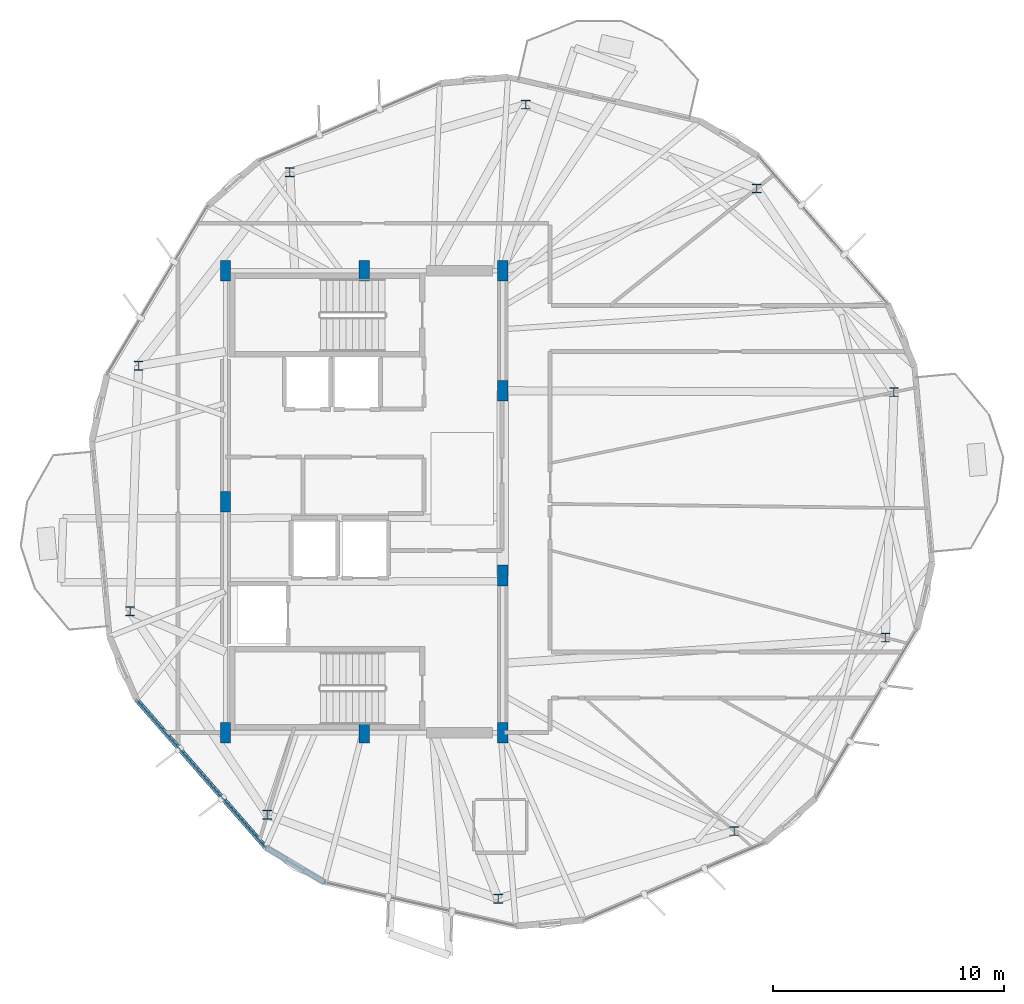
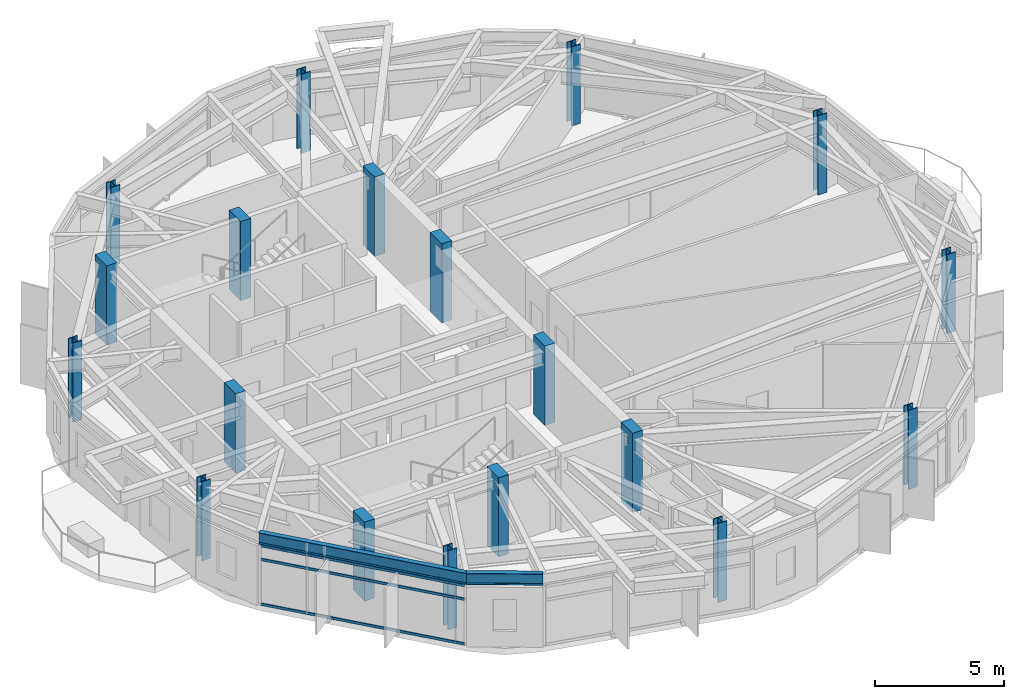
# One storey, part 1 of 23: 19 columns, 3 members, 2 beams, 1 element without a shape of its own.
"""IFC4 building model written with IfcOpenShell, lengths in metres."""

from ifc_helpers import new_model, si_unit, direction, frame, origin, origin_2d, place, context, subcontext, project, spatial, rectangle, hollow_rectangle, i_section, extrude, material, layer, layer_set, material_profile, profile_set, type_object, element, aggregate, save


model = new_model("IFC4")

# Units and contexts
model_context = context("Model", 3, precision=1e-05, world=origin(), true_north=direction((0.0, 1.0)))
body_context = subcontext(model_context, "Body", "Model", "MODEL_VIEW")
ifc_project = project(units=[si_unit("LENGTHUNIT", "METRE"), si_unit("AREAUNIT", "SQUARE_METRE"), si_unit("VOLUMEUNIT", "CUBIC_METRE"), si_unit("PLANEANGLEUNIT", "RADIAN"), si_unit("MASSUNIT", "GRAM", prefix="KILO")], contexts=[model_context])

# Site, building, storey
site_placement = place(None, origin())
site = spatial("IfcSite", under=ifc_project, at=site_placement, CompositionType="ELEMENT")
building_placement = place(site_placement, origin())
building = spatial("IfcBuilding", under=site, at=building_placement, Name="Soratama Intermodal Tower", CompositionType="ELEMENT")
storey_placement = place(building_placement, frame((0.0, 0.0, 250.0)))
storey = spatial("IfcBuildingStorey", under=building, at=storey_placement, Name="L63", CompositionType="ELEMENT", Elevation=250.0)

# Columns
ifc_material_1 = material(Name="Structural steel ASTM A992 Grade 50", Category="steel")
ifc_material_profile_1 = material_profile(ifc_material_1, i_section(OverallWidth=0.40087890625, OverallDepth=0.39892578125, WebThickness=0.02490234375, FlangeThickness=0.03955078125, FilletRadius=0.0380859375, at=origin_2d()), Name="W14X211")
ifc_profile_set_1 = profile_set([ifc_material_profile_1], Name="Structural steel ASTM A992 Grade 50")
column_type_1 = type_object("IfcColumnType", Name="COL-ZE-W14X211", PredefinedType="COLUMN", material=ifc_profile_set_1)
for number, where, z_axis, x_axis, name in (
    (1, (61.53369140625, 29.740966796875, 0.0), (0.0, 0.0, 1.0), (1.0, 0.0, 0.0), "L63 Tower Ring Column R01"),
    (2, (55.58935546875, 38.5537109375, 0.0), (0.0, 0.0, 1.0), (1.0, 0.0, 0.0), "L63 Tower Ring Column R02"),
    (3, (45.600341796875, 42.189453125, 0.0), (0.0, 0.0, 1.0), (1.0, 0.0, 0.0), "L63 Tower Ring Column R03"),
    (4, (35.3818359375, 39.259521484375, 0.0), (0.0, 0.0, 1.0), (1.0, 0.0, 0.0), "L63 Tower Ring Column R04"),
    (5, (28.83740234375, 30.8828125, 0.0), (0.0, 0.0, 1.0), (1.0, 0.0, 0.0), "L63 Tower Ring Column R05"),
    (6, (28.46630859375, 20.259033203125, 0.0), (0.0, 0.0, 1.0), (1.0, 0.0, 0.0), "L63 Tower Ring Column R06"),
    (7, (34.41064453125, 11.4462890625, 0.0), (0.0, 0.0, 1.0), (1.0, 0.0, 0.0), "L63 Tower Ring Column R07"),
    (8, (44.399658203125, 7.810546875, 0.0), (0.0, 0.0, 1.0), (1.0, 0.0, 0.0), "L63 Tower Ring Column R08"),
    (9, (54.6181640625, 10.740478515625, 0.0), (0.0, 0.0, 1.0), (1.0, 0.0, 0.0), "L63 Tower Ring Column R09"),
    (10, (61.16259765625, 19.1171875, 0.0), (0.0, 0.0, 1.0), (1.0, 0.0, 0.0), "L63 Tower Ring Column R10"),
):
    element("IfcColumn", number, at=place(storey_placement, frame(where, z_axis=z_axis, x_axis=x_axis)), inside=storey, type_object=column_type_1, Name=name, PredefinedType="COLUMN", context=body_context, shape_type="SweptSolid", body=[
        extrude(i_section(OverallWidth=0.40087890625, OverallDepth=0.39892578125, WebThickness=0.02490234375, FlangeThickness=0.03955078125, FilletRadius=0.0380859375, at=origin_2d()), origin(), (0.0, 0.0, 1.0), 3.75),
    ])
ifc_material_2 = material(Name="Concrete f'c 56 MPa", Category="concrete")
ifc_material_profile_2 = material_profile(ifc_material_2, rectangle(XDim=0.449951171875, YDim=0.89990234375, at=origin_2d()), Name="RC450X900")
ifc_profile_set_2 = profile_set([ifc_material_profile_2], Name="Concrete f'c 56 MPa")
column_type_2 = type_object("IfcColumnType", Name="PIL-CORE-450X900", PredefinedType="PILASTER", material=ifc_profile_set_2)
for number, where, z_axis, x_axis, name in (
    (11, (32.60009765625, 15.0, 0.0), (0.0, 0.0, 1.0), (1.0, 0.0, 0.0), "L63 Core Pilaster 1"),
    (12, (32.60009765625, 25.0, 0.0), (0.0, 0.0, 1.0), (1.0, 0.0, 0.0), "L63 Core Pilaster 2"),
    (13, (32.60009765625, 35.0, 0.0), (0.0, 0.0, 1.0), (1.0, 0.0, 0.0), "L63 Core Pilaster 3"),
    (14, (38.60009765625, 15.0, 0.0), (0.0, 0.0, 1.0), (1.0, 0.0, 0.0), "L63 Core Pilaster 4"),
    (15, (38.60009765625, 35.0, 0.0), (0.0, 0.0, 1.0), (1.0, 0.0, 0.0), "L63 Core Pilaster 5"),
    (16, (44.60009765625, 15.0, 0.0), (0.0, 0.0, 1.0), (1.0, 0.0, 0.0), "L63 Core Pilaster 6"),
    (17, (44.60009765625, 21.800048828125, 0.0), (0.0, 0.0, 1.0), (1.0, 0.0, 0.0), "L63 Core Pilaster 7"),
    (18, (44.60009765625, 29.800048828125, 0.0), (0.0, 0.0, 1.0), (1.0, 0.0, 0.0), "L63 Core Pilaster 8"),
    (19, (44.60009765625, 35.0, 0.0), (0.0, 0.0, 1.0), (1.0, 0.0, 0.0), "L63 Core Pilaster 9"),
):
    element("IfcColumn", number, at=place(storey_placement, frame(where, z_axis=z_axis, x_axis=x_axis)), inside=storey, type_object=column_type_2, Name=name, PredefinedType="PILASTER", context=body_context, shape_type="SweptSolid", body=[
        extrude(rectangle(XDim=0.449951171875, YDim=0.89990234375, at=origin_2d()), origin(), (0.0, 0.0, 1.0), 3.75),
    ])

# Beams
ifc_material_3 = material(Name="Structural steel ASTM A992 Grade 50", Category="steel")
ifc_material_profile_3 = material_profile(ifc_material_3, i_section(OverallWidth=0.2099609375, OverallDepth=0.537109375, WebThickness=0.010986328125, FlangeThickness=0.017333984375, FilletRadius=0.012939453125, at=origin_2d()), Name="W21X68")
ifc_profile_set_3 = profile_set([ifc_material_profile_3], Name="Structural steel ASTM A992 Grade 50")
beam_type = type_object("IfcBeamType", Name="BM-SPN-W21X68", PredefinedType="SPANDREL", material=ifc_profile_set_3)
beam_1_placement = place(storey_placement, frame((28.741943359375, 16.431884765625, 3.181396484375), z_axis=(0.658166963916, -0.752871999486, 0.0), x_axis=(0.752871999486, 0.658166963916, 0.0)))
element("IfcBeam", 20, at=beam_1_placement, inside=storey, type_object=beam_type, Name="BS-L63-F05", PredefinedType="SPANDREL", context=body_context, shape_type="SweptSolid", body=[
    extrude(i_section(OverallWidth=0.2099609375, OverallDepth=0.537109375, WebThickness=0.010986328125, FlangeThickness=0.017333984375, FilletRadius=0.012939453125, at=origin_2d()), origin(), (0.0, 0.0, 1.0), 8.499267578125),
])
beam_2_placement = place(storey_placement, frame((34.3359375, 10.032958984375, 3.181396484375), z_axis=(0.858572953366, -0.512691411815, 0.0), x_axis=(0.512691411815, 0.858572953366, 0.0)))
element("IfcBeam", 21, at=beam_2_placement, inside=storey, type_object=beam_type, Name="BS-L63-CRN05", PredefinedType="SPANDREL", context=body_context, shape_type="SweptSolid", body=[
    extrude(i_section(OverallWidth=0.2099609375, OverallDepth=0.537109375, WebThickness=0.010986328125, FlangeThickness=0.017333984375, FilletRadius=0.012939453125, at=origin_2d()), origin(), (0.0, 0.0, 1.0), 2.966796875),
])

# Curtain wall, members
ifc_material_4 = material(Name="Double-glazed aluminium curtain wall", Category="aluminium")
ifc_layer = layer(ifc_material_4, 0.159912109375)
ifc_layer_set = layer_set([ifc_layer], Name="Double-glazed aluminium curtain wall")
curtain_wall_type = type_object("IfcCurtainWallType", Name="CW-SYS-5", PredefinedType="NOTDEFINED", material=ifc_layer_set)
curtain_wall_placement = place(storey_placement, origin())
curtain_wall = element("IfcCurtainWall", 22, at=curtain_wall_placement, inside=storey, type_object=curtain_wall_type, Name="L63 Faceted Curtain Wall F05", PredefinedType="NOTDEFINED")
ifc_material_5 = material(Name="Anodised aluminium AA 6063-T6", Category="aluminium")
ifc_material_profile_4 = material_profile(ifc_material_5, hollow_rectangle(XDim=0.06005859375, YDim=0.1298828125, WallThickness=0.0048828125, InnerFilletRadius=0.0048828125, OuterFilletRadius=0.010009765625, at=origin_2d()), Name="CWT130X60X5")
ifc_profile_set_4 = profile_set([ifc_material_profile_4], Name="Anodised aluminium AA 6063-T6")
member_type = type_object("IfcMemberType", Name="TT-CWT-2", PredefinedType="USERDEFINED", material=ifc_profile_set_4)
member_1_placement = place(storey_placement, frame((28.781005859375, 16.38671875, 0.030029296875), z_axis=(0.658162152866, -0.752876205319, 0.0), x_axis=(0.752876205319, 0.658162152866, 0.0)))
member_1 = element("IfcMember", 23, at=member_1_placement, type_object=member_type, Name="CW-5 transom 1.1", ObjectType="TRANSOM", PredefinedType="USERDEFINED", context=body_context, shape_type="SweptSolid", body=[
    extrude(hollow_rectangle(XDim=0.06005859375, YDim=0.1298828125, WallThickness=0.0048828125, InnerFilletRadius=0.0048828125, OuterFilletRadius=0.010009765625, at=origin_2d()), origin(), (0.0, 0.0, 1.0), 8.3798828125),
])
member_2_placement = place(storey_placement, frame((28.781005859375, 16.38671875, 2.14990234375), z_axis=(0.658162152866, -0.752876205319, 0.0), x_axis=(0.752876205319, 0.658162152866, 0.0)))
member_2 = element("IfcMember", 24, at=member_2_placement, type_object=member_type, Name="CW-5 transom 1.2", ObjectType="TRANSOM", PredefinedType="USERDEFINED", context=body_context, shape_type="SweptSolid", body=[
    extrude(hollow_rectangle(XDim=0.06005859375, YDim=0.1298828125, WallThickness=0.0048828125, InnerFilletRadius=0.0048828125, OuterFilletRadius=0.010009765625, at=origin_2d()), origin(), (0.0, 0.0, 1.0), 8.3798828125),
])
member_3_placement = place(storey_placement, frame((28.781005859375, 16.38671875, 2.799072265625), z_axis=(0.658162152866, -0.752876205319, 0.0), x_axis=(0.752876205319, 0.658162152866, 0.0)))
member_3 = element("IfcMember", 25, at=member_3_placement, type_object=member_type, Name="CW-5 transom 1.3", ObjectType="TRANSOM", PredefinedType="USERDEFINED", context=body_context, shape_type="SweptSolid", body=[
    extrude(hollow_rectangle(XDim=0.06005859375, YDim=0.1298828125, WallThickness=0.0048828125, InnerFilletRadius=0.0048828125, OuterFilletRadius=0.010009765625, at=origin_2d()), origin(), (0.0, 0.0, 1.0), 8.3798828125),
])
aggregate(curtain_wall, [member_1, member_2, member_3])

save(model, "model.ifc")
